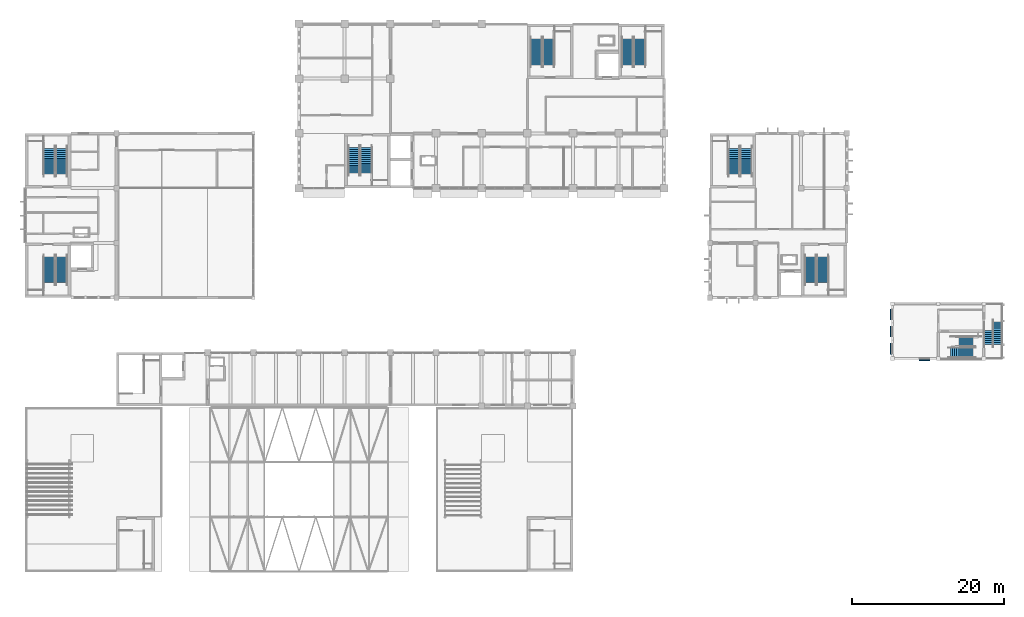
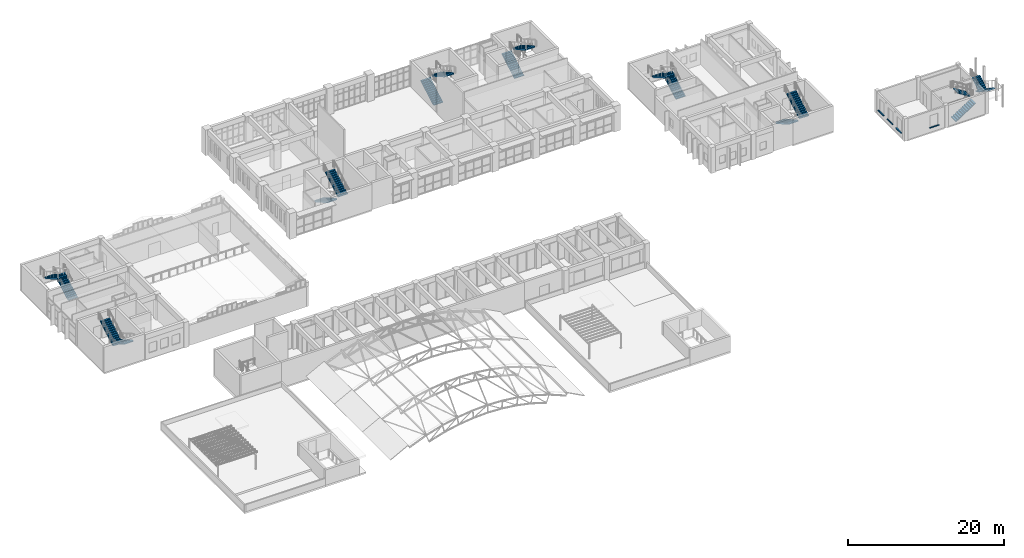
# One storey, part 69 of 92: 18 stair flights, 4 discrete accessories, 9 elements without a shape of their own.
"""IFC4 building model written with IfcOpenShell, lengths in metres."""

from ifc_helpers import new_model, si_unit, direction, frame, origin, origin_2d, place, context, subcontext, project, spatial, polyline, rectangle, outline, extrude, material, type_object, element, aggregate, save


model = new_model("IFC4")

# Units and contexts
model_context = context("Model", 3, precision=1e-05, world=origin(), true_north=direction((0.0, 1.0)))
body_context = subcontext(model_context, "Body", "Model", "MODEL_VIEW")
ifc_project = project(units=[si_unit("LENGTHUNIT", "METRE"), si_unit("AREAUNIT", "SQUARE_METRE"), si_unit("VOLUMEUNIT", "CUBIC_METRE"), si_unit("PLANEANGLEUNIT", "RADIAN"), si_unit("MASSUNIT", "GRAM", prefix="KILO")], contexts=[model_context])

# Site, building, storey
site_placement = place(None, origin())
site = spatial("IfcSite", under=ifc_project, at=site_placement, CompositionType="ELEMENT")
building_placement = place(site_placement, origin())
building = spatial("IfcBuilding", under=site, at=building_placement, Name="Laocheng Heights Fire and Rescue Headquarters", CompositionType="ELEMENT")
storey_placement = place(building_placement, frame((0.0, 0.0, 12.60009765625)))
storey = spatial("IfcBuildingStorey", under=building, at=storey_placement, Name="L03", CompositionType="ELEMENT", Elevation=12.60009765625)

# Stair, stair flights
ifc_material_1 = material(Name="Concrete C40", Category="concrete")
stair_type_1 = type_object("IfcStairType", Name="RC STAIR 1200 TWO FLIGHTS 20 RISERS OF 175 GOING 270", PredefinedType="HALF_TURN_STAIR", material=ifc_material_1)
stair_1_placement = place(storey_placement, origin())
stair_1 = element("IfcStair", 1, at=stair_1_placement, inside=storey, type_object=stair_type_1, Name="Stair T1 (F5 to F6)", PredefinedType="HALF_TURN_STAIR")
ifc_material_2 = material(Name="Concrete C40", Category="concrete")
stair_flight_type_1 = type_object("IfcStairFlightType", Name="RC STAIR FLIGHT 1200 RISERS OF 175 GOING 270", PredefinedType="STRAIGHT", material=ifc_material_2)
stair_flight_1_placement = place(storey_placement, frame((121.625, 28.800048828125, 1.39990234375), z_axis=(0.0, 0.0, 1.0), x_axis=(1.0, 0.0, 0.0)))
stair_flight_1 = element("IfcStairFlight", 2, at=stair_flight_1_placement, type_object=stair_flight_type_1, Name="T1-F5 flight 1", NumberOfRisers=12, NumberOfTreads=11, PredefinedType="STRAIGHT", RiserHeight=0.175, TreadLength=0.27, context=body_context, shape_type="SweptSolid", body=[
    extrude(outline(polyline([(0.0, 0.0), (0.0, 0.175048828125), (0.27001953125, 0.175048828125), (0.27001953125, 0.35009765625), (0.5400390625, 0.35009765625), (0.5400390625, 0.52490234375), (0.81005859375, 0.52490234375), (0.81005859375, 0.699951171875), (1.080078125, 0.699951171875), (1.080078125, 0.875), (1.35009765625, 0.875), (1.35009765625, 1.050048828125), (1.6201171875, 1.050048828125), (1.6201171875, 1.22509765625), (1.889892578125, 1.22509765625), (1.889892578125, 1.39990234375), (2.159912109375, 1.39990234375), (2.159912109375, 1.574951171875), (2.429931640625, 1.574951171875), (2.429931640625, 1.75), (2.699951171875, 1.75), (2.699951171875, 1.925048828125), (2.969970703125, 1.925048828125), (2.969970703125, 2.10009765625), (2.969970703125, 1.865478515625), (0.092041015625, 0.0), (0.0, 0.0)])), frame((0.0, 0.60009765625, 0.0), z_axis=(0.0, -1.0, 0.0), x_axis=(1.0, 0.0, 0.0)), (0.0, 0.0, 1.0), 1.199951171875),
])
stair_flight_2_placement = place(storey_placement, frame((124.594970703125, 30.199951171875, 3.501953125), z_axis=(0.0, 0.0, 1.0), x_axis=(-1.0, 0.0, 0.0)))
stair_flight_2 = element("IfcStairFlight", 3, at=stair_flight_2_placement, type_object=stair_flight_type_1, Name="T1-F5 flight 2", NumberOfRisers=8, NumberOfTreads=7, PredefinedType="STRAIGHT", RiserHeight=0.175, TreadLength=0.27, context=body_context, shape_type="SweptSolid", body=[
    extrude(outline(polyline([(0.0, 0.0), (0.0, 0.175048828125), (0.27001953125, 0.175048828125), (0.27001953125, 0.35009765625), (0.5400390625, 0.35009765625), (0.5400390625, 0.52490234375), (0.81005859375, 0.52490234375), (0.81005859375, 0.699951171875), (1.080078125, 0.699951171875), (1.080078125, 0.875), (1.35009765625, 0.875), (1.35009765625, 1.050048828125), (1.6201171875, 1.050048828125), (1.6201171875, 1.22509765625), (1.889892578125, 1.22509765625), (1.889892578125, 1.39990234375), (1.889892578125, 1.165283203125), (0.092041015625, 0.0), (0.0, 0.0)])), frame((0.0, 0.60009765625, 0.0), z_axis=(0.0, -1.0, 0.0), x_axis=(1.0, 0.0, 0.0)), (0.0, 0.0, 1.0), 1.199951171875),
])
aggregate(stair_1, [stair_flight_1, stair_flight_2])

stair_2_placement = place(storey_placement, origin())
stair_2 = element("IfcStair", 4, at=stair_2_placement, inside=storey, type_object=stair_type_1, Name="Stair T2 (F5 to F6)", PredefinedType="HALF_TURN_STAIR")
stair_flight_3_placement = place(storey_placement, frame((127.800048828125, 32.800048828125, 1.39990234375), z_axis=(0.0, 0.0, 1.0), x_axis=(0.0, -1.0, 0.0)))
stair_flight_3 = element("IfcStairFlight", 5, at=stair_flight_3_placement, type_object=stair_flight_type_1, Name="T2-F5 flight 1", NumberOfRisers=12, NumberOfTreads=11, PredefinedType="STRAIGHT", RiserHeight=0.175, TreadLength=0.27, context=body_context, shape_type="SweptSolid", body=[
    extrude(outline(polyline([(0.0, 0.0), (0.0, 0.175048828125), (0.27001953125, 0.175048828125), (0.27001953125, 0.35009765625), (0.5400390625, 0.35009765625), (0.5400390625, 0.52490234375), (0.81005859375, 0.52490234375), (0.81005859375, 0.699951171875), (1.080078125, 0.699951171875), (1.080078125, 0.875), (1.35009765625, 0.875), (1.35009765625, 1.050048828125), (1.6201171875, 1.050048828125), (1.6201171875, 1.22509765625), (1.889892578125, 1.22509765625), (1.889892578125, 1.39990234375), (2.159912109375, 1.39990234375), (2.159912109375, 1.574951171875), (2.429931640625, 1.574951171875), (2.429931640625, 1.75), (2.699951171875, 1.75), (2.699951171875, 1.925048828125), (2.969970703125, 1.925048828125), (2.969970703125, 2.10009765625), (2.969970703125, 1.865478515625), (0.092041015625, 0.0), (0.0, 0.0)])), frame((0.0, 0.60009765625, 0.0), z_axis=(0.0, -1.0, 0.0), x_axis=(1.0, 0.0, 0.0)), (0.0, 0.0, 1.0), 1.199951171875),
])
stair_flight_4_placement = place(storey_placement, frame((126.60009765625, 29.830078125, 3.501953125), z_axis=(0.0, 0.0, 1.0), x_axis=(0.0, 1.0, 0.0)))
stair_flight_4 = element("IfcStairFlight", 6, at=stair_flight_4_placement, type_object=stair_flight_type_1, Name="T2-F5 flight 2", NumberOfRisers=8, NumberOfTreads=7, PredefinedType="STRAIGHT", RiserHeight=0.175, TreadLength=0.27, context=body_context, shape_type="SweptSolid", body=[
    extrude(outline(polyline([(0.0, 0.0), (0.0, 0.175048828125), (0.27001953125, 0.175048828125), (0.27001953125, 0.35009765625), (0.5400390625, 0.35009765625), (0.5400390625, 0.52490234375), (0.81005859375, 0.52490234375), (0.81005859375, 0.699951171875), (1.080078125, 0.699951171875), (1.080078125, 0.875), (1.35009765625, 0.875), (1.35009765625, 1.050048828125), (1.6201171875, 1.050048828125), (1.6201171875, 1.22509765625), (1.889892578125, 1.22509765625), (1.889892578125, 1.39990234375), (1.889892578125, 1.165283203125), (0.092041015625, 0.0), (0.0, 0.0)])), frame((0.0, 0.60009765625, 0.0), z_axis=(0.0, -1.0, 0.0), x_axis=(1.0, 0.0, 0.0)), (0.0, 0.0, 1.0), 1.199951171875),
])
aggregate(stair_2, [stair_flight_3, stair_flight_4])

ifc_material_3 = material(Name="Concrete C40", Category="concrete")
stair_type_2 = type_object("IfcStairType", Name="RC STAIR 1400 TWO FLIGHTS 28 RISERS OF 150 GOING 260", PredefinedType="HALF_TURN_STAIR", material=ifc_material_3)
stair_3_placement = place(storey_placement, origin())
stair_3 = element("IfcStair", 7, at=stair_3_placement, inside=storey, type_object=stair_type_2, Name="Stair P1 (L03 to L04)", PredefinedType="HALF_TURN_STAIR")
ifc_material_4 = material(Name="Concrete C40", Category="concrete")
stair_flight_type_2 = type_object("IfcStairFlightType", Name="RC STAIR FLIGHT 1400 RISERS OF 150 GOING 260", PredefinedType="STRAIGHT", material=ifc_material_4)
stair_flight_5_placement = place(storey_placement, frame((4.77490234375, 41.35009765625, 0.0), z_axis=(0.0, 0.0, 1.0), x_axis=(0.0, -1.0, 0.0)))
stair_flight_5 = element("IfcStairFlight", 8, at=stair_flight_5_placement, type_object=stair_flight_type_2, Name="P1-L03 flight 1", NumberOfRisers=14, NumberOfTreads=13, PredefinedType="STRAIGHT", RiserHeight=0.15, TreadLength=0.26, context=body_context, shape_type="SweptSolid", body=[
    extrude(outline(polyline([(0.0, 0.0), (0.0, 0.14990234375), (0.260009765625, 0.14990234375), (0.260009765625, 0.300048828125), (0.52001953125, 0.300048828125), (0.52001953125, 0.449951171875), (0.780029296875, 0.449951171875), (0.780029296875, 0.60009765625), (1.0400390625, 0.60009765625), (1.0400390625, 0.75), (1.300048828125, 0.75), (1.300048828125, 0.89990234375), (1.56005859375, 0.89990234375), (1.56005859375, 1.050048828125), (1.820068359375, 1.050048828125), (1.820068359375, 1.199951171875), (2.080078125, 1.199951171875), (2.080078125, 1.35009765625), (2.340087890625, 1.35009765625), (2.340087890625, 1.5), (2.60009765625, 1.5), (2.60009765625, 1.64990234375), (2.860107421875, 1.64990234375), (2.860107421875, 1.800048828125), (3.1201171875, 1.800048828125), (3.1201171875, 1.949951171875), (3.3798828125, 1.949951171875), (3.3798828125, 2.10009765625), (3.3798828125, 1.77685546875), (0.300048828125, 0.0), (0.0, 0.0)])), frame((0.0, 0.699951171875, 0.0), z_axis=(0.0, -1.0, 0.0), x_axis=(1.0, 0.0, 0.0)), (0.0, 0.0, 1.0), 1.39990234375),
])
stair_flight_6_placement = place(storey_placement, frame((3.175048828125, 37.969970703125, 2.101806640625), z_axis=(0.0, 0.0, 1.0), x_axis=(0.0, 1.0, 0.0)))
stair_flight_6 = element("IfcStairFlight", 9, at=stair_flight_6_placement, type_object=stair_flight_type_2, Name="P1-L03 flight 2", NumberOfRisers=14, NumberOfTreads=13, PredefinedType="STRAIGHT", RiserHeight=0.15, TreadLength=0.26, context=body_context, shape_type="SweptSolid", body=[
    extrude(outline(polyline([(0.0, 0.0), (0.0, 0.14990234375), (0.260009765625, 0.14990234375), (0.260009765625, 0.300048828125), (0.52001953125, 0.300048828125), (0.52001953125, 0.449951171875), (0.780029296875, 0.449951171875), (0.780029296875, 0.60009765625), (1.0400390625, 0.60009765625), (1.0400390625, 0.75), (1.300048828125, 0.75), (1.300048828125, 0.89990234375), (1.56005859375, 0.89990234375), (1.56005859375, 1.050048828125), (1.820068359375, 1.050048828125), (1.820068359375, 1.199951171875), (2.080078125, 1.199951171875), (2.080078125, 1.35009765625), (2.340087890625, 1.35009765625), (2.340087890625, 1.5), (2.60009765625, 1.5), (2.60009765625, 1.64990234375), (2.860107421875, 1.64990234375), (2.860107421875, 1.800048828125), (3.1201171875, 1.800048828125), (3.1201171875, 1.949951171875), (3.3798828125, 1.949951171875), (3.3798828125, 2.10009765625), (3.3798828125, 1.77685546875), (0.300048828125, 0.0), (0.0, 0.0)])), frame((0.0, 0.699951171875, 0.0), z_axis=(0.0, -1.0, 0.0), x_axis=(1.0, 0.0, 0.0)), (0.0, 0.0, 1.0), 1.39990234375),
])
aggregate(stair_3, [stair_flight_5, stair_flight_6])

stair_4_placement = place(storey_placement, origin())
stair_4 = element("IfcStair", 10, at=stair_4_placement, inside=storey, type_object=stair_type_2, Name="Stair P2 (L03 to L04)", PredefinedType="HALF_TURN_STAIR")
stair_flight_7_placement = place(storey_placement, frame((4.77490234375, 52.25, 0.0), z_axis=(0.0, 0.0, 1.0), x_axis=(0.0, 1.0, 0.0)))
stair_flight_7 = element("IfcStairFlight", 11, at=stair_flight_7_placement, type_object=stair_flight_type_2, Name="P2-L03 flight 1", NumberOfRisers=14, NumberOfTreads=13, PredefinedType="STRAIGHT", RiserHeight=0.15, TreadLength=0.26, context=body_context, shape_type="SweptSolid", body=[
    extrude(outline(polyline([(0.0, 0.0), (0.0, 0.14990234375), (0.260009765625, 0.14990234375), (0.260009765625, 0.300048828125), (0.52001953125, 0.300048828125), (0.52001953125, 0.449951171875), (0.780029296875, 0.449951171875), (0.780029296875, 0.60009765625), (1.0400390625, 0.60009765625), (1.0400390625, 0.75), (1.300048828125, 0.75), (1.300048828125, 0.89990234375), (1.56005859375, 0.89990234375), (1.56005859375, 1.050048828125), (1.820068359375, 1.050048828125), (1.820068359375, 1.199951171875), (2.080078125, 1.199951171875), (2.080078125, 1.35009765625), (2.340087890625, 1.35009765625), (2.340087890625, 1.5), (2.60009765625, 1.5), (2.60009765625, 1.64990234375), (2.860107421875, 1.64990234375), (2.860107421875, 1.800048828125), (3.1201171875, 1.800048828125), (3.1201171875, 1.949951171875), (3.3798828125, 1.949951171875), (3.3798828125, 2.10009765625), (3.3798828125, 1.77685546875), (0.300048828125, 0.0), (0.0, 0.0)])), frame((0.0, 0.699951171875, 0.0), z_axis=(0.0, -1.0, 0.0), x_axis=(1.0, 0.0, 0.0)), (0.0, 0.0, 1.0), 1.39990234375),
])
stair_flight_8_placement = place(storey_placement, frame((3.175048828125, 55.6298828125, 2.101806640625), z_axis=(0.0, 0.0, 1.0), x_axis=(0.0, -1.0, 0.0)))
stair_flight_8 = element("IfcStairFlight", 12, at=stair_flight_8_placement, type_object=stair_flight_type_2, Name="P2-L03 flight 2", NumberOfRisers=14, NumberOfTreads=13, PredefinedType="STRAIGHT", RiserHeight=0.15, TreadLength=0.26, context=body_context, shape_type="SweptSolid", body=[
    extrude(outline(polyline([(0.0, 0.0), (0.0, 0.14990234375), (0.260009765625, 0.14990234375), (0.260009765625, 0.300048828125), (0.52001953125, 0.300048828125), (0.52001953125, 0.449951171875), (0.780029296875, 0.449951171875), (0.780029296875, 0.60009765625), (1.0400390625, 0.60009765625), (1.0400390625, 0.75), (1.300048828125, 0.75), (1.300048828125, 0.89990234375), (1.56005859375, 0.89990234375), (1.56005859375, 1.050048828125), (1.820068359375, 1.050048828125), (1.820068359375, 1.199951171875), (2.080078125, 1.199951171875), (2.080078125, 1.35009765625), (2.340087890625, 1.35009765625), (2.340087890625, 1.5), (2.60009765625, 1.5), (2.60009765625, 1.64990234375), (2.860107421875, 1.64990234375), (2.860107421875, 1.800048828125), (3.1201171875, 1.800048828125), (3.1201171875, 1.949951171875), (3.3798828125, 1.949951171875), (3.3798828125, 2.10009765625), (3.3798828125, 1.77685546875), (0.300048828125, 0.0), (0.0, 0.0)])), frame((0.0, 0.699951171875, 0.0), z_axis=(0.0, -1.0, 0.0), x_axis=(1.0, 0.0, 0.0)), (0.0, 0.0, 1.0), 1.39990234375),
])
aggregate(stair_4, [stair_flight_7, stair_flight_8])

stair_5_placement = place(storey_placement, origin())
stair_5 = element("IfcStair", 13, at=stair_5_placement, inside=storey, type_object=stair_type_2, Name="Stair C1 (L03 to L04)", PredefinedType="HALF_TURN_STAIR")
stair_flight_9_placement = place(storey_placement, frame((103.22509765625, 41.35009765625, 0.0), z_axis=(0.0, 0.0, 1.0), x_axis=(0.0, -1.0, 0.0)))
stair_flight_9 = element("IfcStairFlight", 14, at=stair_flight_9_placement, type_object=stair_flight_type_2, Name="C1-L03 flight 1", NumberOfRisers=14, NumberOfTreads=13, PredefinedType="STRAIGHT", RiserHeight=0.15, TreadLength=0.26, context=body_context, shape_type="SweptSolid", body=[
    extrude(outline(polyline([(0.0, 0.0), (0.0, 0.14990234375), (0.260009765625, 0.14990234375), (0.260009765625, 0.300048828125), (0.52001953125, 0.300048828125), (0.52001953125, 0.449951171875), (0.780029296875, 0.449951171875), (0.780029296875, 0.60009765625), (1.0400390625, 0.60009765625), (1.0400390625, 0.75), (1.300048828125, 0.75), (1.300048828125, 0.89990234375), (1.56005859375, 0.89990234375), (1.56005859375, 1.050048828125), (1.820068359375, 1.050048828125), (1.820068359375, 1.199951171875), (2.080078125, 1.199951171875), (2.080078125, 1.35009765625), (2.340087890625, 1.35009765625), (2.340087890625, 1.5), (2.60009765625, 1.5), (2.60009765625, 1.64990234375), (2.860107421875, 1.64990234375), (2.860107421875, 1.800048828125), (3.1201171875, 1.800048828125), (3.1201171875, 1.949951171875), (3.3798828125, 1.949951171875), (3.3798828125, 2.10009765625), (3.3798828125, 1.77685546875), (0.300048828125, 0.0), (0.0, 0.0)])), frame((0.0, 0.699951171875, 0.0), z_axis=(0.0, -1.0, 0.0), x_axis=(1.0, 0.0, 0.0)), (0.0, 0.0, 1.0), 1.39990234375),
])
stair_flight_10_placement = place(storey_placement, frame((104.824951171875, 37.969970703125, 2.101806640625), z_axis=(0.0, 0.0, 1.0), x_axis=(0.0, 1.0, 0.0)))
stair_flight_10 = element("IfcStairFlight", 15, at=stair_flight_10_placement, type_object=stair_flight_type_2, Name="C1-L03 flight 2", NumberOfRisers=14, NumberOfTreads=13, PredefinedType="STRAIGHT", RiserHeight=0.15, TreadLength=0.26, context=body_context, shape_type="SweptSolid", body=[
    extrude(outline(polyline([(0.0, 0.0), (0.0, 0.14990234375), (0.260009765625, 0.14990234375), (0.260009765625, 0.300048828125), (0.52001953125, 0.300048828125), (0.52001953125, 0.449951171875), (0.780029296875, 0.449951171875), (0.780029296875, 0.60009765625), (1.0400390625, 0.60009765625), (1.0400390625, 0.75), (1.300048828125, 0.75), (1.300048828125, 0.89990234375), (1.56005859375, 0.89990234375), (1.56005859375, 1.050048828125), (1.820068359375, 1.050048828125), (1.820068359375, 1.199951171875), (2.080078125, 1.199951171875), (2.080078125, 1.35009765625), (2.340087890625, 1.35009765625), (2.340087890625, 1.5), (2.60009765625, 1.5), (2.60009765625, 1.64990234375), (2.860107421875, 1.64990234375), (2.860107421875, 1.800048828125), (3.1201171875, 1.800048828125), (3.1201171875, 1.949951171875), (3.3798828125, 1.949951171875), (3.3798828125, 2.10009765625), (3.3798828125, 1.77685546875), (0.300048828125, 0.0), (0.0, 0.0)])), frame((0.0, 0.699951171875, 0.0), z_axis=(0.0, -1.0, 0.0), x_axis=(1.0, 0.0, 0.0)), (0.0, 0.0, 1.0), 1.39990234375),
])
aggregate(stair_5, [stair_flight_9, stair_flight_10])

stair_6_placement = place(storey_placement, origin())
stair_6 = element("IfcStair", 16, at=stair_6_placement, inside=storey, type_object=stair_type_2, Name="Stair C2 (L03 to L04)", PredefinedType="HALF_TURN_STAIR")
stair_flight_11_placement = place(storey_placement, frame((94.77490234375, 52.25, 0.0), z_axis=(0.0, 0.0, 1.0), x_axis=(0.0, 1.0, 0.0)))
stair_flight_11 = element("IfcStairFlight", 17, at=stair_flight_11_placement, type_object=stair_flight_type_2, Name="C2-L03 flight 1", NumberOfRisers=14, NumberOfTreads=13, PredefinedType="STRAIGHT", RiserHeight=0.15, TreadLength=0.26, context=body_context, shape_type="SweptSolid", body=[
    extrude(outline(polyline([(0.0, 0.0), (0.0, 0.14990234375), (0.260009765625, 0.14990234375), (0.260009765625, 0.300048828125), (0.52001953125, 0.300048828125), (0.52001953125, 0.449951171875), (0.780029296875, 0.449951171875), (0.780029296875, 0.60009765625), (1.0400390625, 0.60009765625), (1.0400390625, 0.75), (1.300048828125, 0.75), (1.300048828125, 0.89990234375), (1.56005859375, 0.89990234375), (1.56005859375, 1.050048828125), (1.820068359375, 1.050048828125), (1.820068359375, 1.199951171875), (2.080078125, 1.199951171875), (2.080078125, 1.35009765625), (2.340087890625, 1.35009765625), (2.340087890625, 1.5), (2.60009765625, 1.5), (2.60009765625, 1.64990234375), (2.860107421875, 1.64990234375), (2.860107421875, 1.800048828125), (3.1201171875, 1.800048828125), (3.1201171875, 1.949951171875), (3.3798828125, 1.949951171875), (3.3798828125, 2.10009765625), (3.3798828125, 1.77685546875), (0.300048828125, 0.0), (0.0, 0.0)])), frame((0.0, 0.699951171875, 0.0), z_axis=(0.0, -1.0, 0.0), x_axis=(1.0, 0.0, 0.0)), (0.0, 0.0, 1.0), 1.39990234375),
])
stair_flight_12_placement = place(storey_placement, frame((93.175048828125, 55.6298828125, 2.101806640625), z_axis=(0.0, 0.0, 1.0), x_axis=(0.0, -1.0, 0.0)))
stair_flight_12 = element("IfcStairFlight", 18, at=stair_flight_12_placement, type_object=stair_flight_type_2, Name="C2-L03 flight 2", NumberOfRisers=14, NumberOfTreads=13, PredefinedType="STRAIGHT", RiserHeight=0.15, TreadLength=0.26, context=body_context, shape_type="SweptSolid", body=[
    extrude(outline(polyline([(0.0, 0.0), (0.0, 0.14990234375), (0.260009765625, 0.14990234375), (0.260009765625, 0.300048828125), (0.52001953125, 0.300048828125), (0.52001953125, 0.449951171875), (0.780029296875, 0.449951171875), (0.780029296875, 0.60009765625), (1.0400390625, 0.60009765625), (1.0400390625, 0.75), (1.300048828125, 0.75), (1.300048828125, 0.89990234375), (1.56005859375, 0.89990234375), (1.56005859375, 1.050048828125), (1.820068359375, 1.050048828125), (1.820068359375, 1.199951171875), (2.080078125, 1.199951171875), (2.080078125, 1.35009765625), (2.340087890625, 1.35009765625), (2.340087890625, 1.5), (2.60009765625, 1.5), (2.60009765625, 1.64990234375), (2.860107421875, 1.64990234375), (2.860107421875, 1.800048828125), (3.1201171875, 1.800048828125), (3.1201171875, 1.949951171875), (3.3798828125, 1.949951171875), (3.3798828125, 2.10009765625), (3.3798828125, 1.77685546875), (0.300048828125, 0.0), (0.0, 0.0)])), frame((0.0, 0.699951171875, 0.0), z_axis=(0.0, -1.0, 0.0), x_axis=(1.0, 0.0, 0.0)), (0.0, 0.0, 1.0), 1.39990234375),
])
aggregate(stair_6, [stair_flight_11, stair_flight_12])

stair_7_placement = place(storey_placement, origin())
stair_7 = element("IfcStair", 19, at=stair_7_placement, inside=storey, type_object=stair_type_2, Name="Stair H1 (L03 to L04)", PredefinedType="HALF_TURN_STAIR")
stair_flight_13_placement = place(storey_placement, frame((43.22509765625, 55.75, 0.0), z_axis=(0.0, 0.0, 1.0), x_axis=(0.0, -1.0, 0.0)))
stair_flight_13 = element("IfcStairFlight", 20, at=stair_flight_13_placement, type_object=stair_flight_type_2, Name="H1-L03 flight 1", NumberOfRisers=14, NumberOfTreads=13, PredefinedType="STRAIGHT", RiserHeight=0.15, TreadLength=0.26, context=body_context, shape_type="SweptSolid", body=[
    extrude(outline(polyline([(0.0, 0.0), (0.0, 0.14990234375), (0.260009765625, 0.14990234375), (0.260009765625, 0.300048828125), (0.52001953125, 0.300048828125), (0.52001953125, 0.449951171875), (0.780029296875, 0.449951171875), (0.780029296875, 0.60009765625), (1.0400390625, 0.60009765625), (1.0400390625, 0.75), (1.300048828125, 0.75), (1.300048828125, 0.89990234375), (1.56005859375, 0.89990234375), (1.56005859375, 1.050048828125), (1.820068359375, 1.050048828125), (1.820068359375, 1.199951171875), (2.080078125, 1.199951171875), (2.080078125, 1.35009765625), (2.340087890625, 1.35009765625), (2.340087890625, 1.5), (2.60009765625, 1.5), (2.60009765625, 1.64990234375), (2.860107421875, 1.64990234375), (2.860107421875, 1.800048828125), (3.1201171875, 1.800048828125), (3.1201171875, 1.949951171875), (3.3798828125, 1.949951171875), (3.3798828125, 2.10009765625), (3.3798828125, 1.77685546875), (0.300048828125, 0.0), (0.0, 0.0)])), frame((0.0, 0.699951171875, 0.0), z_axis=(0.0, -1.0, 0.0), x_axis=(1.0, 0.0, 0.0)), (0.0, 0.0, 1.0), 1.39990234375),
])
stair_flight_14_placement = place(storey_placement, frame((44.824951171875, 52.3701171875, 2.101806640625), z_axis=(0.0, 0.0, 1.0), x_axis=(0.0, 1.0, 0.0)))
stair_flight_14 = element("IfcStairFlight", 21, at=stair_flight_14_placement, type_object=stair_flight_type_2, Name="H1-L03 flight 2", NumberOfRisers=14, NumberOfTreads=13, PredefinedType="STRAIGHT", RiserHeight=0.15, TreadLength=0.26, context=body_context, shape_type="SweptSolid", body=[
    extrude(outline(polyline([(0.0, 0.0), (0.0, 0.14990234375), (0.260009765625, 0.14990234375), (0.260009765625, 0.300048828125), (0.52001953125, 0.300048828125), (0.52001953125, 0.449951171875), (0.780029296875, 0.449951171875), (0.780029296875, 0.60009765625), (1.0400390625, 0.60009765625), (1.0400390625, 0.75), (1.300048828125, 0.75), (1.300048828125, 0.89990234375), (1.56005859375, 0.89990234375), (1.56005859375, 1.050048828125), (1.820068359375, 1.050048828125), (1.820068359375, 1.199951171875), (2.080078125, 1.199951171875), (2.080078125, 1.35009765625), (2.340087890625, 1.35009765625), (2.340087890625, 1.5), (2.60009765625, 1.5), (2.60009765625, 1.64990234375), (2.860107421875, 1.64990234375), (2.860107421875, 1.800048828125), (3.1201171875, 1.800048828125), (3.1201171875, 1.949951171875), (3.3798828125, 1.949951171875), (3.3798828125, 2.10009765625), (3.3798828125, 1.77685546875), (0.300048828125, 0.0), (0.0, 0.0)])), frame((0.0, 0.699951171875, 0.0), z_axis=(0.0, -1.0, 0.0), x_axis=(1.0, 0.0, 0.0)), (0.0, 0.0, 1.0), 1.39990234375),
])
aggregate(stair_7, [stair_flight_13, stair_flight_14])

stair_8_placement = place(storey_placement, origin())
stair_8 = element("IfcStair", 22, at=stair_8_placement, inside=storey, type_object=stair_type_2, Name="Stair H2 (L03 to L04)", PredefinedType="HALF_TURN_STAIR")
stair_flight_15_placement = place(storey_placement, frame((79.175048828125, 66.60009765625, 0.0), z_axis=(0.0, 0.0, 1.0), x_axis=(0.0, 1.0, 0.0)))
stair_flight_15 = element("IfcStairFlight", 23, at=stair_flight_15_placement, type_object=stair_flight_type_2, Name="H2-L03 flight 1", NumberOfRisers=14, NumberOfTreads=13, PredefinedType="STRAIGHT", RiserHeight=0.15, TreadLength=0.26, context=body_context, shape_type="SweptSolid", body=[
    extrude(outline(polyline([(0.0, 0.0), (0.0, 0.14990234375), (0.260009765625, 0.14990234375), (0.260009765625, 0.300048828125), (0.52001953125, 0.300048828125), (0.52001953125, 0.449951171875), (0.780029296875, 0.449951171875), (0.780029296875, 0.60009765625), (1.0400390625, 0.60009765625), (1.0400390625, 0.75), (1.300048828125, 0.75), (1.300048828125, 0.89990234375), (1.56005859375, 0.89990234375), (1.56005859375, 1.050048828125), (1.820068359375, 1.050048828125), (1.820068359375, 1.199951171875), (2.080078125, 1.199951171875), (2.080078125, 1.35009765625), (2.340087890625, 1.35009765625), (2.340087890625, 1.5), (2.60009765625, 1.5), (2.60009765625, 1.64990234375), (2.860107421875, 1.64990234375), (2.860107421875, 1.800048828125), (3.1201171875, 1.800048828125), (3.1201171875, 1.949951171875), (3.3798828125, 1.949951171875), (3.3798828125, 2.10009765625), (3.3798828125, 1.77685546875), (0.300048828125, 0.0), (0.0, 0.0)])), frame((0.0, 0.699951171875, 0.0), z_axis=(0.0, -1.0, 0.0), x_axis=(1.0, 0.0, 0.0)), (0.0, 0.0, 1.0), 1.39990234375),
])
stair_flight_16_placement = place(storey_placement, frame((80.77490234375, 69.97998046875, 2.101806640625), z_axis=(0.0, 0.0, 1.0), x_axis=(0.0, -1.0, 0.0)))
stair_flight_16 = element("IfcStairFlight", 24, at=stair_flight_16_placement, type_object=stair_flight_type_2, Name="H2-L03 flight 2", NumberOfRisers=14, NumberOfTreads=13, PredefinedType="STRAIGHT", RiserHeight=0.15, TreadLength=0.26, context=body_context, shape_type="SweptSolid", body=[
    extrude(outline(polyline([(0.0, 0.0), (0.0, 0.14990234375), (0.260009765625, 0.14990234375), (0.260009765625, 0.300048828125), (0.52001953125, 0.300048828125), (0.52001953125, 0.449951171875), (0.780029296875, 0.449951171875), (0.780029296875, 0.60009765625), (1.0400390625, 0.60009765625), (1.0400390625, 0.75), (1.300048828125, 0.75), (1.300048828125, 0.89990234375), (1.56005859375, 0.89990234375), (1.56005859375, 1.050048828125), (1.820068359375, 1.050048828125), (1.820068359375, 1.199951171875), (2.080078125, 1.199951171875), (2.080078125, 1.35009765625), (2.340087890625, 1.35009765625), (2.340087890625, 1.5), (2.60009765625, 1.5), (2.60009765625, 1.64990234375), (2.860107421875, 1.64990234375), (2.860107421875, 1.800048828125), (3.1201171875, 1.800048828125), (3.1201171875, 1.949951171875), (3.3798828125, 1.949951171875), (3.3798828125, 2.10009765625), (3.3798828125, 1.77685546875), (0.300048828125, 0.0), (0.0, 0.0)])), frame((0.0, 0.699951171875, 0.0), z_axis=(0.0, -1.0, 0.0), x_axis=(1.0, 0.0, 0.0)), (0.0, 0.0, 1.0), 1.39990234375),
])
aggregate(stair_8, [stair_flight_15, stair_flight_16])

stair_9_placement = place(storey_placement, origin())
stair_9 = element("IfcStair", 25, at=stair_9_placement, inside=storey, type_object=stair_type_2, Name="Stair H3 (L03 to L04)", PredefinedType="HALF_TURN_STAIR")
stair_flight_17_placement = place(storey_placement, frame((67.175048828125, 66.60009765625, 0.0), z_axis=(0.0, 0.0, 1.0), x_axis=(0.0, 1.0, 0.0)))
stair_flight_17 = element("IfcStairFlight", 26, at=stair_flight_17_placement, type_object=stair_flight_type_2, Name="H3-L03 flight 1", NumberOfRisers=14, NumberOfTreads=13, PredefinedType="STRAIGHT", RiserHeight=0.15, TreadLength=0.26, context=body_context, shape_type="SweptSolid", body=[
    extrude(outline(polyline([(0.0, 0.0), (0.0, 0.14990234375), (0.260009765625, 0.14990234375), (0.260009765625, 0.300048828125), (0.52001953125, 0.300048828125), (0.52001953125, 0.449951171875), (0.780029296875, 0.449951171875), (0.780029296875, 0.60009765625), (1.0400390625, 0.60009765625), (1.0400390625, 0.75), (1.300048828125, 0.75), (1.300048828125, 0.89990234375), (1.56005859375, 0.89990234375), (1.56005859375, 1.050048828125), (1.820068359375, 1.050048828125), (1.820068359375, 1.199951171875), (2.080078125, 1.199951171875), (2.080078125, 1.35009765625), (2.340087890625, 1.35009765625), (2.340087890625, 1.5), (2.60009765625, 1.5), (2.60009765625, 1.64990234375), (2.860107421875, 1.64990234375), (2.860107421875, 1.800048828125), (3.1201171875, 1.800048828125), (3.1201171875, 1.949951171875), (3.3798828125, 1.949951171875), (3.3798828125, 2.10009765625), (3.3798828125, 1.77685546875), (0.300048828125, 0.0), (0.0, 0.0)])), frame((0.0, 0.699951171875, 0.0), z_axis=(0.0, -1.0, 0.0), x_axis=(1.0, 0.0, 0.0)), (0.0, 0.0, 1.0), 1.39990234375),
])
stair_flight_18_placement = place(storey_placement, frame((68.77490234375, 69.97998046875, 2.101806640625), z_axis=(0.0, 0.0, 1.0), x_axis=(0.0, -1.0, 0.0)))
stair_flight_18 = element("IfcStairFlight", 27, at=stair_flight_18_placement, type_object=stair_flight_type_2, Name="H3-L03 flight 2", NumberOfRisers=14, NumberOfTreads=13, PredefinedType="STRAIGHT", RiserHeight=0.15, TreadLength=0.26, context=body_context, shape_type="SweptSolid", body=[
    extrude(outline(polyline([(0.0, 0.0), (0.0, 0.14990234375), (0.260009765625, 0.14990234375), (0.260009765625, 0.300048828125), (0.52001953125, 0.300048828125), (0.52001953125, 0.449951171875), (0.780029296875, 0.449951171875), (0.780029296875, 0.60009765625), (1.0400390625, 0.60009765625), (1.0400390625, 0.75), (1.300048828125, 0.75), (1.300048828125, 0.89990234375), (1.56005859375, 0.89990234375), (1.56005859375, 1.050048828125), (1.820068359375, 1.050048828125), (1.820068359375, 1.199951171875), (2.080078125, 1.199951171875), (2.080078125, 1.35009765625), (2.340087890625, 1.35009765625), (2.340087890625, 1.5), (2.60009765625, 1.5), (2.60009765625, 1.64990234375), (2.860107421875, 1.64990234375), (2.860107421875, 1.800048828125), (3.1201171875, 1.800048828125), (3.1201171875, 1.949951171875), (3.3798828125, 1.949951171875), (3.3798828125, 2.10009765625), (3.3798828125, 1.77685546875), (0.300048828125, 0.0), (0.0, 0.0)])), frame((0.0, 0.699951171875, 0.0), z_axis=(0.0, -1.0, 0.0), x_axis=(1.0, 0.0, 0.0)), (0.0, 0.0, 1.0), 1.39990234375),
])
aggregate(stair_9, [stair_flight_17, stair_flight_18])

# Discrete accessories
ifc_material_5 = material(Name="Timber board, treated", Category="wood")
discrete_accessory_type = type_object("IfcDiscreteAccessoryType", Name="DRILL TIMBER SILL BOARD 150 x 50", PredefinedType="USERDEFINED", material=ifc_material_5)
for number, where, z_axis, x_axis, name in (
    (28, (113.800048828125, 29.300048828125, 2.14990234375), (0.0, 0.0, 1.0), (1.0, 0.0, 0.0), "Sill board F5 W"),
    (29, (113.800048828125, 31.550048828125, 2.14990234375), (0.0, 0.0, 1.0), (1.0, 0.0, 0.0), "Sill board F5 W"),
    (30, (113.800048828125, 33.800048828125, 2.14990234375), (0.0, 0.0, 1.0), (1.0, 0.0, 0.0), "Sill board F5 W"),
):
    element("IfcDiscreteAccessory", number, at=place(storey_placement, frame(where, z_axis=z_axis, x_axis=x_axis)), inside=storey, type_object=discrete_accessory_type, Name=name, ObjectType="SILL BOARD", PredefinedType="USERDEFINED", context=body_context, shape_type="SweptSolid", body=[
        extrude(rectangle(XDim=0.14990234375, YDim=1.39990234375, at=origin_2d()), origin(), (0.0, 0.0, 1.0), 0.050048828125),
    ])
discrete_accessory_placement = place(storey_placement, frame((118.199951171875, 27.800048828125, 2.14990234375), z_axis=(0.0, 0.0, 1.0), x_axis=(1.0, 0.0, 0.0)))
element("IfcDiscreteAccessory", 31, at=discrete_accessory_placement, inside=storey, type_object=discrete_accessory_type, Name="Sill board F5 S", ObjectType="SILL BOARD", PredefinedType="USERDEFINED", context=body_context, shape_type="SweptSolid", body=[
    extrude(rectangle(XDim=1.39990234375, YDim=0.14990234375, at=origin_2d()), origin(), (0.0, 0.0, 1.0), 0.050048828125),
])

save(model, "model.ifc")
